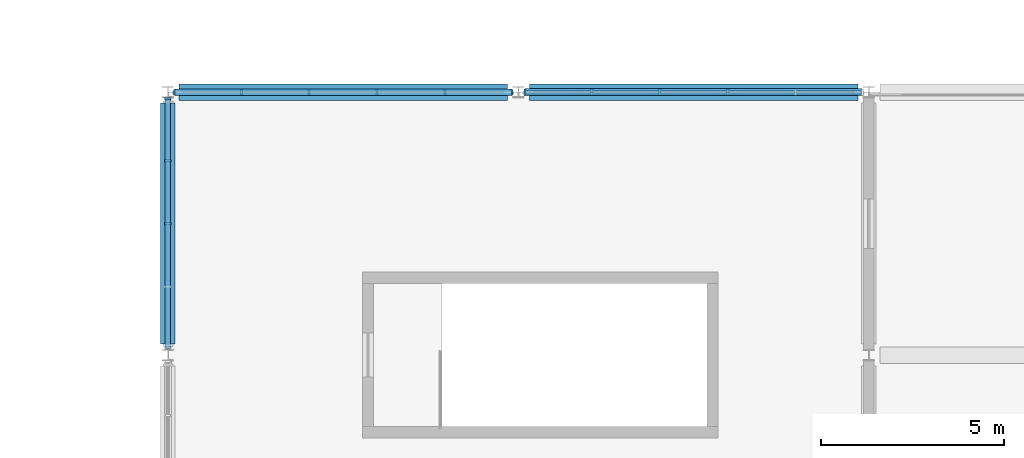
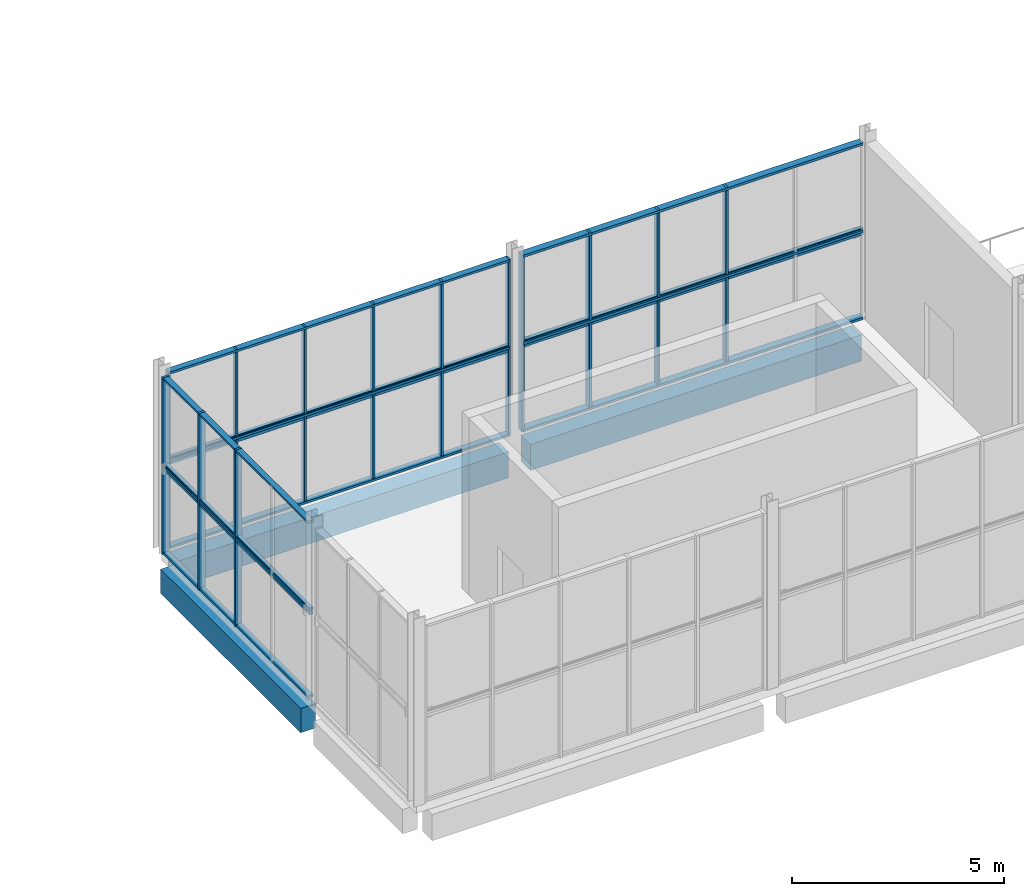
# One storey, part 13 of 83: 25 members, 3 beams, 3 elements without a shape of their own.
"""IFC4 building model written with IfcOpenShell, lengths in metres."""

from ifc_helpers import new_model, si_unit, direction, frame, origin, origin_2d, place, context, subcontext, project, spatial, rectangle, hollow_rectangle, extrude, material, material_profile, profile_set, type_object, element, aggregate, save


model = new_model("IFC4")

# Units and contexts
model_context = context("Model", 3, precision=1e-05, world=origin(), true_north=direction((0.0, 1.0)))
body_context = subcontext(model_context, "Body", "Model", "MODEL_VIEW")
ifc_project = project(units=[si_unit("LENGTHUNIT", "METRE"), si_unit("AREAUNIT", "SQUARE_METRE"), si_unit("VOLUMEUNIT", "CUBIC_METRE"), si_unit("PLANEANGLEUNIT", "RADIAN"), si_unit("MASSUNIT", "GRAM", prefix="KILO")], contexts=[model_context])

# Site, building, storey
site_placement = place(None, origin())
site = spatial("IfcSite", under=ifc_project, at=site_placement, CompositionType="ELEMENT")
building_placement = place(site_placement, origin())
building = spatial("IfcBuilding", under=site, at=building_placement, Name="Shalvenor Court Art Gallery", CompositionType="ELEMENT")
storey_placement = place(building_placement, frame((0.0, 0.0, 6.0)))
storey = spatial("IfcBuildingStorey", under=building, at=storey_placement, Name="L01", CompositionType="ELEMENT", Elevation=6.0)

# Beams
ifc_material_1 = material(Name="Concrete C40/50", Category="concrete")
ifc_material_profile_1 = material_profile(ifc_material_1, rectangle(XDim=0.449951171875, YDim=0.75, at=origin_2d()), Name="RC 450x750")
ifc_profile_set_1 = profile_set([ifc_material_profile_1], Name="Concrete C40/50")
beam_type_1 = type_object("IfcBeamType", Name="B-04", PredefinedType="BEAM", material=ifc_profile_set_1)
for number, where, z_axis, x_axis, name in (
    (1, (48.300048828125, 57.60009765625, -0.695068359375), (1.0, 0.0, 0.0), (0.0, 1.0, 0.0), "L01 Girder BM-L01-B-04-0548"),
    (2, (57.89990234375, 57.60009765625, -0.695068359375), (1.0, 0.0, 0.0), (0.0, 1.0, 0.0), "L01 Girder BM-L01-B-04-0549"),
):
    element("IfcBeam", number, at=place(storey_placement, frame(where, z_axis=z_axis, x_axis=x_axis)), inside=storey, type_object=beam_type_1, Name=name, PredefinedType="BEAM", context=body_context, shape_type="SweptSolid", body=[
        extrude(rectangle(XDim=0.449951171875, YDim=0.75, at=origin_2d()), origin(), (0.0, 0.0, 1.0), 9.0),
    ])
ifc_material_2 = material(Name="Concrete C40/50", Category="concrete")
ifc_material_profile_2 = material_profile(ifc_material_2, rectangle(XDim=0.39990234375, YDim=0.699951171875, at=origin_2d()), Name="RC 400x700")
ifc_profile_set_2 = profile_set([ifc_material_profile_2], Name="Concrete C40/50")
beam_type_2 = type_object("IfcBeamType", Name="B-05", PredefinedType="BEAM", material=ifc_profile_set_2)
beam_placement = place(storey_placement, frame((48.0, 50.699951171875, -0.669921875), z_axis=(0.0, 1.0, 0.0), x_axis=(-1.0, 0.0, 0.0)))
element("IfcBeam", 3, at=beam_placement, inside=storey, type_object=beam_type_2, Name="L01 Girder BM-L01-B-05-0401", PredefinedType="BEAM", context=body_context, shape_type="SweptSolid", body=[
    extrude(rectangle(XDim=0.39990234375, YDim=0.699951171875, at=origin_2d()), origin(), (0.0, 0.0, 1.0), 6.60009765625),
])

# Curtain wall, members
ifc_material_3 = material(Name="Anodised aluminium and low-iron glass curtain wall", Category="aluminium")
curtain_wall_type_1 = type_object("IfcCurtainWallType", Name="CW-5x2-93-51-146", PredefinedType="USERDEFINED", material=ifc_material_3)
curtain_wall_1_placement = place(storey_placement, origin())
curtain_wall_1 = element("IfcCurtainWall", 4, at=curtain_wall_1_placement, inside=storey, type_object=curtain_wall_type_1, Name="L01 V6 Curtain Wall CW-L01-200", ObjectType="CURTAIN WALL", PredefinedType="USERDEFINED")
ifc_material_4 = material(Name="Anodised aluminium mullion", Category="aluminium")
ifc_material_profile_3 = material_profile(ifc_material_4, rectangle(XDim=0.06494140625, YDim=0.179931640625, at=origin_2d()), Name="CWM-01")
ifc_profile_set_3 = profile_set([ifc_material_profile_3], Name="Anodised aluminium mullion")
member_type_1 = type_object("IfcMemberType", Name="CWM-01", PredefinedType="MULLION", material=ifc_profile_set_3)
member_1_placement = place(storey_placement, frame((57.782470703125, 57.60009765625, 0.0), z_axis=(0.0, 0.0, 1.0), x_axis=(1.0, 0.0, 0.0)))
member_1 = element("IfcMember", 5, at=member_1_placement, type_object=member_type_1, Name="CW-5x2-93-51-146 mullion 1", PredefinedType="MULLION", context=body_context, shape_type="SweptSolid", body=[
    extrude(rectangle(XDim=0.06494140625, YDim=0.179931640625, at=origin_2d()), origin(), (0.0, 0.0, 1.0), 5.080078125),
])
member_2_placement = place(storey_placement, frame((59.610107421875, 57.60009765625, 0.0), z_axis=(0.0, 0.0, 1.0), x_axis=(1.0, 0.0, 0.0)))
member_2 = element("IfcMember", 6, at=member_2_placement, type_object=member_type_1, Name="CW-5x2-93-51-146 mullion 2", PredefinedType="MULLION", context=body_context, shape_type="SweptSolid", body=[
    extrude(rectangle(XDim=0.06494140625, YDim=0.179931640625, at=origin_2d()), origin(), (0.0, 0.0, 1.0), 5.080078125),
])
member_3_placement = place(storey_placement, frame((61.469970703125, 57.60009765625, 0.0), z_axis=(0.0, 0.0, 1.0), x_axis=(1.0, 0.0, 0.0)))
member_3 = element("IfcMember", 7, at=member_3_placement, type_object=member_type_1, Name="CW-5x2-93-51-146 mullion 3", PredefinedType="MULLION", context=body_context, shape_type="SweptSolid", body=[
    extrude(rectangle(XDim=0.06494140625, YDim=0.179931640625, at=origin_2d()), origin(), (0.0, 0.0, 1.0), 5.080078125),
])
member_4_placement = place(storey_placement, frame((63.330078125, 57.60009765625, 0.0), z_axis=(0.0, 0.0, 1.0), x_axis=(1.0, 0.0, 0.0)))
member_4 = element("IfcMember", 8, at=member_4_placement, type_object=member_type_1, Name="CW-5x2-93-51-146 mullion 4", PredefinedType="MULLION", context=body_context, shape_type="SweptSolid", body=[
    extrude(rectangle(XDim=0.06494140625, YDim=0.179931640625, at=origin_2d()), origin(), (0.0, 0.0, 1.0), 5.080078125),
])

ifc_material_5 = material(Name="Anodised aluminium and low-iron glass curtain wall", Category="aluminium")
curtain_wall_type_2 = type_object("IfcCurtainWallType", Name="CW-4x2-69-51-116", PredefinedType="USERDEFINED", material=ifc_material_5)
curtain_wall_2_placement = place(storey_placement, origin())
curtain_wall_2 = element("IfcCurtainWall", 9, at=curtain_wall_2_placement, inside=storey, type_object=curtain_wall_type_2, Name="L01 V6 Curtain Wall CW-L01-204", ObjectType="CURTAIN WALL", PredefinedType="USERDEFINED")
member_5_placement = place(storey_placement, frame((48.0, 54.0, 0.0), z_axis=(0.0, 0.0, 1.0), x_axis=(0.0, 1.0, 0.0)))
member_5 = element("IfcMember", 10, at=member_5_placement, type_object=member_type_1, Name="CW-4x2-69-51-116 mullion 3", PredefinedType="MULLION", context=body_context, shape_type="SweptSolid", body=[
    extrude(rectangle(XDim=0.06494140625, YDim=0.179931640625, at=origin_2d()), origin(), (0.0, 0.0, 1.0), 5.080078125),
])
member_6_placement = place(storey_placement, frame((48.0, 55.72509765625, 0.0), z_axis=(0.0, 0.0, 1.0), x_axis=(0.0, 1.0, 0.0)))
member_6 = element("IfcMember", 11, at=member_6_placement, type_object=member_type_1, Name="CW-4x2-69-51-116 mullion 4", PredefinedType="MULLION", context=body_context, shape_type="SweptSolid", body=[
    extrude(rectangle(XDim=0.06494140625, YDim=0.179931640625, at=origin_2d()), origin(), (0.0, 0.0, 1.0), 5.080078125),
])
member_7_placement = place(storey_placement, frame((48.0, 57.41748046875, 0.0), z_axis=(0.0, 0.0, 1.0), x_axis=(0.0, 1.0, 0.0)))
member_7 = element("IfcMember", 12, at=member_7_placement, type_object=member_type_1, Name="CW-4x2-69-51-116 mullion 5", PredefinedType="MULLION", context=body_context, shape_type="SweptSolid", body=[
    extrude(rectangle(XDim=0.06494140625, YDim=0.179931640625, at=origin_2d()), origin(), (0.0, 0.0, 1.0), 5.080078125),
])

ifc_material_6 = material(Name="Anodised aluminium and low-iron glass curtain wall", Category="aluminium")
curtain_wall_type_3 = type_object("IfcCurtainWallType", Name="CW-5x2-93-51-626", PredefinedType="USERDEFINED", material=ifc_material_6)
curtain_wall_3_placement = place(storey_placement, origin())
curtain_wall_3 = element("IfcCurtainWall", 13, at=curtain_wall_3_placement, inside=storey, type_object=curtain_wall_type_3, Name="L01 V6 Curtain Wall CW-L01-199", ObjectType="CURTAIN WALL", PredefinedType="USERDEFINED")
ifc_material_7 = material(Name="Anodised aluminium mullion", Category="aluminium")
ifc_material_profile_4 = material_profile(ifc_material_7, rectangle(XDim=0.054931640625, YDim=0.139892578125, at=origin_2d()), Name="CWM-06")
ifc_profile_set_4 = profile_set([ifc_material_profile_4], Name="Anodised aluminium mullion")
member_type_2 = type_object("IfcMemberType", Name="CWM-06", PredefinedType="MULLION", material=ifc_profile_set_4)
member_8_placement = place(storey_placement, frame((48.177490234375, 57.60009765625, 0.0), z_axis=(0.0, 0.0, 1.0), x_axis=(1.0, 0.0, 0.0)))
member_8 = element("IfcMember", 14, at=member_8_placement, type_object=member_type_2, Name="CW-5x2-93-51-626 mullion 1", PredefinedType="MULLION", context=body_context, shape_type="SweptSolid", body=[
    extrude(rectangle(XDim=0.054931640625, YDim=0.139892578125, at=origin_2d()), origin(), (0.0, 0.0, 1.0), 5.080078125),
])
member_9_placement = place(storey_placement, frame((50.010009765625, 57.60009765625, 0.0), z_axis=(0.0, 0.0, 1.0), x_axis=(1.0, 0.0, 0.0)))
member_9 = element("IfcMember", 15, at=member_9_placement, type_object=member_type_2, Name="CW-5x2-93-51-626 mullion 2", PredefinedType="MULLION", context=body_context, shape_type="SweptSolid", body=[
    extrude(rectangle(XDim=0.054931640625, YDim=0.139892578125, at=origin_2d()), origin(), (0.0, 0.0, 1.0), 5.080078125),
])
member_10_placement = place(storey_placement, frame((51.8701171875, 57.60009765625, 0.0), z_axis=(0.0, 0.0, 1.0), x_axis=(1.0, 0.0, 0.0)))
member_10 = element("IfcMember", 16, at=member_10_placement, type_object=member_type_2, Name="CW-5x2-93-51-626 mullion 3", PredefinedType="MULLION", context=body_context, shape_type="SweptSolid", body=[
    extrude(rectangle(XDim=0.054931640625, YDim=0.139892578125, at=origin_2d()), origin(), (0.0, 0.0, 1.0), 5.080078125),
])
member_11_placement = place(storey_placement, frame((53.72998046875, 57.60009765625, 0.0), z_axis=(0.0, 0.0, 1.0), x_axis=(1.0, 0.0, 0.0)))
member_11 = element("IfcMember", 17, at=member_11_placement, type_object=member_type_2, Name="CW-5x2-93-51-626 mullion 4", PredefinedType="MULLION", context=body_context, shape_type="SweptSolid", body=[
    extrude(rectangle(XDim=0.054931640625, YDim=0.139892578125, at=origin_2d()), origin(), (0.0, 0.0, 1.0), 5.080078125),
])
member_12_placement = place(storey_placement, frame((55.590087890625, 57.60009765625, 0.0), z_axis=(0.0, 0.0, 1.0), x_axis=(1.0, 0.0, 0.0)))
member_12 = element("IfcMember", 18, at=member_12_placement, type_object=member_type_2, Name="CW-5x2-93-51-626 mullion 5", PredefinedType="MULLION", context=body_context, shape_type="SweptSolid", body=[
    extrude(rectangle(XDim=0.054931640625, YDim=0.139892578125, at=origin_2d()), origin(), (0.0, 0.0, 1.0), 5.080078125),
])
member_13_placement = place(storey_placement, frame((57.422607421875, 57.60009765625, 0.0), z_axis=(0.0, 0.0, 1.0), x_axis=(1.0, 0.0, 0.0)))
member_13 = element("IfcMember", 19, at=member_13_placement, type_object=member_type_2, Name="CW-5x2-93-51-626 mullion 6", PredefinedType="MULLION", context=body_context, shape_type="SweptSolid", body=[
    extrude(rectangle(XDim=0.054931640625, YDim=0.139892578125, at=origin_2d()), origin(), (0.0, 0.0, 1.0), 5.080078125),
])

# Member
ifc_material_8 = material(Name="Anodised aluminium transom", Category="aluminium")
ifc_material_profile_5 = material_profile(ifc_material_8, rectangle(XDim=0.14990234375, YDim=0.06005859375, at=origin_2d()), Name="CWT-01")
ifc_profile_set_5 = profile_set([ifc_material_profile_5], Name="Anodised aluminium transom")
member_type_3 = type_object("IfcMemberType", Name="CWT-01", PredefinedType="USERDEFINED", material=ifc_profile_set_5)
member_14_placement = place(storey_placement, frame((48.0, 50.58251953125, 0.030029296875), z_axis=(0.0, 1.0, 0.0), x_axis=(-1.0, 0.0, 0.0)))
member_14 = element("IfcMember", 20, at=member_14_placement, type_object=member_type_3, Name="CW-4x2-69-51-116 transom 1", ObjectType="TRANSOM", PredefinedType="USERDEFINED", context=body_context, shape_type="SweptSolid", body=[
    extrude(rectangle(XDim=0.14990234375, YDim=0.06005859375, at=origin_2d()), origin(), (0.0, 0.0, 1.0), 6.8349609375),
])

member_15_placement = place(storey_placement, frame((48.0, 50.58251953125, 2.5400390625), z_axis=(0.0, 1.0, 0.0), x_axis=(-1.0, 0.0, 0.0)))
member_15 = element("IfcMember", 21, at=member_15_placement, type_object=member_type_3, Name="CW-4x2-69-51-116 transom 2", ObjectType="TRANSOM", PredefinedType="USERDEFINED", context=body_context, shape_type="SweptSolid", body=[
    extrude(rectangle(XDim=0.14990234375, YDim=0.06005859375, at=origin_2d()), origin(), (0.0, 0.0, 1.0), 6.8349609375),
])

member_16_placement = place(storey_placement, frame((48.0, 50.58251953125, 5.050048828125), z_axis=(0.0, 1.0, 0.0), x_axis=(-1.0, 0.0, 0.0)))
member_16 = element("IfcMember", 22, at=member_16_placement, type_object=member_type_3, Name="CW-4x2-69-51-116 transom 3", ObjectType="TRANSOM", PredefinedType="USERDEFINED", context=body_context, shape_type="SweptSolid", body=[
    extrude(rectangle(XDim=0.14990234375, YDim=0.06005859375, at=origin_2d()), origin(), (0.0, 0.0, 1.0), 6.8349609375),
])

aggregate(curtain_wall_2, [member_5, member_6, member_7, member_14, member_15, member_16])

ifc_material_9 = material(Name="Anodised aluminium transom", Category="aluminium")
ifc_material_profile_6 = material_profile(ifc_material_9, rectangle(XDim=0.169921875, YDim=0.06494140625, at=origin_2d()), Name="CWT-02")
ifc_profile_set_6 = profile_set([ifc_material_profile_6], Name="Anodised aluminium transom")
member_type_4 = type_object("IfcMemberType", Name="CWT-02", PredefinedType="USERDEFINED", material=ifc_profile_set_6)
member_17_placement = place(storey_placement, frame((48.177490234375, 57.60009765625, 0.032470703125), z_axis=(1.0, 0.0, 0.0), x_axis=(0.0, 1.0, 0.0)))
member_17 = element("IfcMember", 23, at=member_17_placement, type_object=member_type_4, Name="CW-5x2-93-51-626 transom 1", ObjectType="TRANSOM", PredefinedType="USERDEFINED", context=body_context, shape_type="SweptSolid", body=[
    extrude(rectangle(XDim=0.169921875, YDim=0.06494140625, at=origin_2d()), origin(), (0.0, 0.0, 1.0), 9.2451171875),
])

member_18_placement = place(storey_placement, frame((48.177490234375, 57.60009765625, 2.5400390625), z_axis=(1.0, 0.0, 0.0), x_axis=(0.0, 1.0, 0.0)))
member_18 = element("IfcMember", 24, at=member_18_placement, type_object=member_type_4, Name="CW-5x2-93-51-626 transom 2", ObjectType="TRANSOM", PredefinedType="USERDEFINED", context=body_context, shape_type="SweptSolid", body=[
    extrude(rectangle(XDim=0.169921875, YDim=0.06494140625, at=origin_2d()), origin(), (0.0, 0.0, 1.0), 9.2451171875),
])

member_19_placement = place(storey_placement, frame((48.177490234375, 57.60009765625, 5.047607421875), z_axis=(1.0, 0.0, 0.0), x_axis=(0.0, 1.0, 0.0)))
member_19 = element("IfcMember", 25, at=member_19_placement, type_object=member_type_4, Name="CW-5x2-93-51-626 transom 3", ObjectType="TRANSOM", PredefinedType="USERDEFINED", context=body_context, shape_type="SweptSolid", body=[
    extrude(rectangle(XDim=0.169921875, YDim=0.06494140625, at=origin_2d()), origin(), (0.0, 0.0, 1.0), 9.2451171875),
])

aggregate(curtain_wall_3, [member_8, member_9, member_10, member_11, member_12, member_13, member_17, member_18, member_19])

ifc_material_10 = material(Name="Anodised aluminium transom", Category="aluminium")
ifc_material_profile_7 = material_profile(ifc_material_10, rectangle(XDim=0.18994140625, YDim=0.070068359375, at=origin_2d()), Name="CWT-04")
ifc_profile_set_7 = profile_set([ifc_material_profile_7], Name="Anodised aluminium transom")
member_type_5 = type_object("IfcMemberType", Name="CWT-04", PredefinedType="USERDEFINED", material=ifc_profile_set_7)
member_20_placement = place(storey_placement, frame((57.782470703125, 57.60009765625, 0.034912109375), z_axis=(1.0, 0.0, 0.0), x_axis=(0.0, 1.0, 0.0)))
member_20 = element("IfcMember", 26, at=member_20_placement, type_object=member_type_5, Name="CW-5x2-93-51-146 transom 1", ObjectType="TRANSOM", PredefinedType="USERDEFINED", context=body_context, shape_type="SweptSolid", body=[
    extrude(rectangle(XDim=0.18994140625, YDim=0.070068359375, at=origin_2d()), origin(), (0.0, 0.0, 1.0), 9.235107421875),
])

member_21_placement = place(storey_placement, frame((57.782470703125, 57.60009765625, 2.5400390625), z_axis=(1.0, 0.0, 0.0), x_axis=(0.0, 1.0, 0.0)))
member_21 = element("IfcMember", 27, at=member_21_placement, type_object=member_type_5, Name="CW-5x2-93-51-146 transom 2", ObjectType="TRANSOM", PredefinedType="USERDEFINED", context=body_context, shape_type="SweptSolid", body=[
    extrude(rectangle(XDim=0.18994140625, YDim=0.070068359375, at=origin_2d()), origin(), (0.0, 0.0, 1.0), 9.235107421875),
])

member_22_placement = place(storey_placement, frame((57.782470703125, 57.60009765625, 5.044921875), z_axis=(1.0, 0.0, 0.0), x_axis=(0.0, 1.0, 0.0)))
member_22 = element("IfcMember", 28, at=member_22_placement, type_object=member_type_5, Name="CW-5x2-93-51-146 transom 3", ObjectType="TRANSOM", PredefinedType="USERDEFINED", context=body_context, shape_type="SweptSolid", body=[
    extrude(rectangle(XDim=0.18994140625, YDim=0.070068359375, at=origin_2d()), origin(), (0.0, 0.0, 1.0), 9.235107421875),
])

aggregate(curtain_wall_1, [member_1, member_2, member_3, member_4, member_20, member_21, member_22])

# Members
ifc_material_11 = material(Name="Steel S355", Category="steel")
ifc_material_profile_8 = material_profile(ifc_material_11, hollow_rectangle(XDim=0.10009765625, YDim=0.199951171875, WallThickness=0.008056640625, at=origin_2d()), Name="RHS 200x100x8.0")
ifc_profile_set_8 = profile_set([ifc_material_profile_8], Name="Steel S355")
member_type_6 = type_object("IfcMemberType", Name="FR-01", PredefinedType="MEMBER", material=ifc_profile_set_8)
for number, where, z_axis, x_axis, name in (
    (29, (48.14990234375, 57.60009765625, 2.5), (1.0, 0.0, 0.0), (0.0, 1.0, 0.0), "L01 Cloister Canopy Rail 199"),
    (30, (57.75, 57.60009765625, 2.5), (1.0, 0.0, 0.0), (0.0, 1.0, 0.0), "L01 Cloister Canopy Rail 200"),
):
    element("IfcMember", number, at=place(storey_placement, frame(where, z_axis=z_axis, x_axis=x_axis)), inside=storey, type_object=member_type_6, Name=name, PredefinedType="MEMBER", context=body_context, shape_type="SweptSolid", body=[
        extrude(hollow_rectangle(XDim=0.10009765625, YDim=0.199951171875, WallThickness=0.008056640625, at=origin_2d()), origin(), (0.0, 0.0, 1.0), 9.300048828125),
    ])
member_23_placement = place(storey_placement, frame((48.0, 50.550048828125, 2.5), z_axis=(0.0, 1.0, 0.0), x_axis=(-1.0, 0.0, 0.0)))
element("IfcMember", 31, at=member_23_placement, inside=storey, type_object=member_type_6, Name="L01 Cloister Canopy Rail 204", PredefinedType="MEMBER", context=body_context, shape_type="SweptSolid", body=[
    extrude(hollow_rectangle(XDim=0.10009765625, YDim=0.199951171875, WallThickness=0.008056640625, at=origin_2d()), origin(), (0.0, 0.0, 1.0), 6.89990234375),
])

save(model, "model.ifc")
